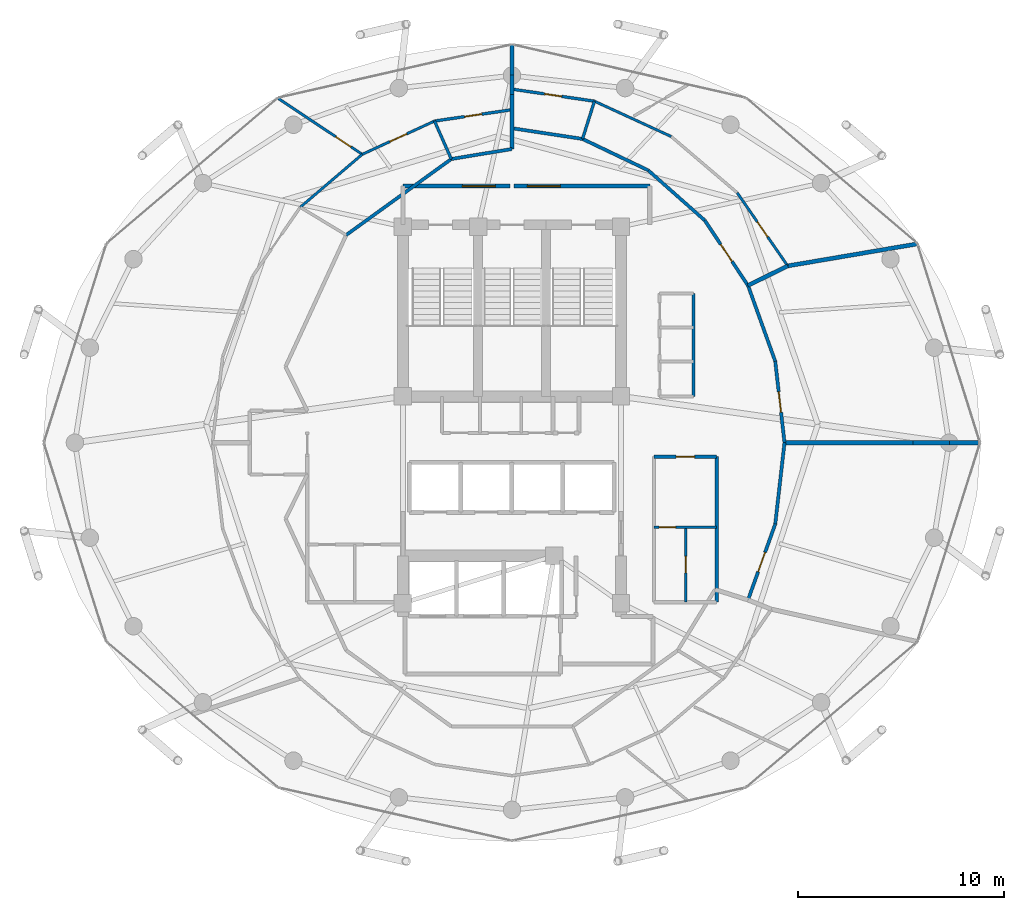
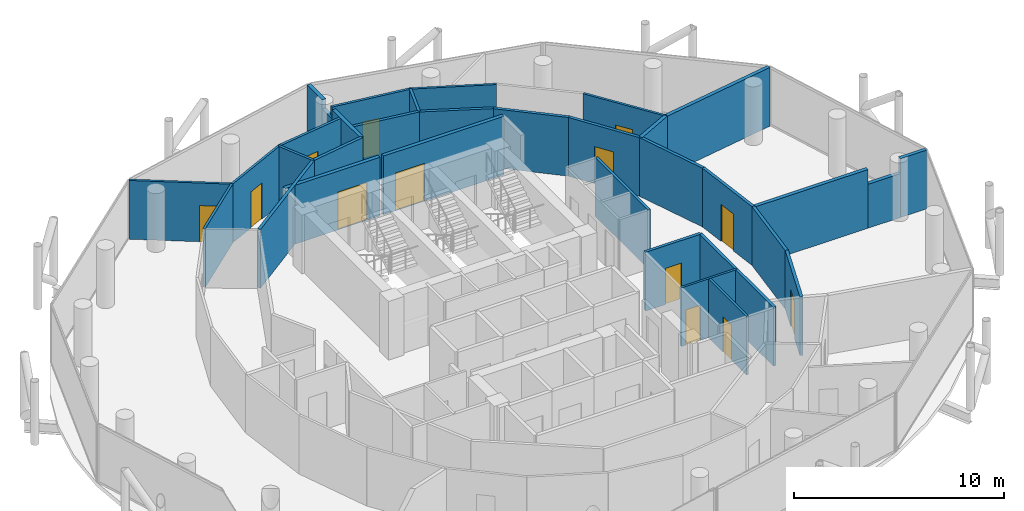
# One storey, part 25 of 27: 34 walls, 13 doors, 13 openings.
"""IFC4 building model written with IfcOpenShell, lengths in metres."""

from ifc_helpers import new_model, si_unit, direction, frame, frame_2d, origin, place, context, subcontext, project, spatial, rectangle, extrude, material, layer, layer_set, type_object, element, fill, save


model = new_model("IFC4")

# Units and contexts
model_context = context("Model", 3, precision=1e-05, world=origin(), true_north=direction((0.0, 1.0)))
body_context = subcontext(model_context, "Body", "Model", "MODEL_VIEW")
ifc_project = project(units=[si_unit("LENGTHUNIT", "METRE"), si_unit("AREAUNIT", "SQUARE_METRE"), si_unit("VOLUMEUNIT", "CUBIC_METRE"), si_unit("PLANEANGLEUNIT", "RADIAN"), si_unit("MASSUNIT", "GRAM", prefix="KILO")], contexts=[model_context])

# Site, building, storey
site_placement = place(None, origin())
site = spatial("IfcSite", under=ifc_project, at=site_placement, CompositionType="ELEMENT")
building_placement = place(site_placement, origin())
building = spatial("IfcBuilding", under=site, at=building_placement, Name="Nuhasar Tower", CompositionType="ELEMENT")
storey_placement = place(building_placement, frame((0.0, 0.0, 237.35009765625)))
storey = spatial("IfcBuildingStorey", under=building, at=storey_placement, Name="L58", CompositionType="ELEMENT", Elevation=237.35009765625)

# Wall
ifc_material_1 = material(Name="Gypsum Board", Category="gypsum")
ifc_layer_1 = layer(ifc_material_1, 0.159912109375)
ifc_layer_set_1 = layer_set([ifc_layer_1], Name="Gypsum Board")
wall_type_1 = type_object("IfcWallType", Name="WL-CORR-160", PredefinedType="PARTITIONING", material=ifc_layer_set_1)
wall_1_placement = place(storey_placement, frame((48.949951171875, 19.050048828125, 0.0), z_axis=(0.0, 0.0, 1.0), x_axis=(0.0, 1.0, 0.0)))
element("IfcWall", 1, at=wall_1_placement, inside=storey, type_object=wall_type_1, Name="L58 Interior Partition RECL-B2-E", PredefinedType="PARTITIONING", context=body_context, shape_type="SweptSolid", body=[
    extrude(rectangle(XDim=7.070068359375, YDim=0.159912109375, at=frame_2d((3.53515625, 0.0))), origin(), (0.0, 0.0, 1.0), 3.409912109375),
])

# Wall, opening, door
wall_2_placement = place(storey_placement, frame((48.949951171875, 26.1201171875, 0.0), z_axis=(0.0, 0.0, 1.0), x_axis=(-1.0, 0.0, 0.0)))
wall_2 = element("IfcWall", 2, at=wall_2_placement, inside=storey, type_object=wall_type_1, Name="L58 Interior Partition RECL-B2-N", PredefinedType="PARTITIONING", context=body_context, shape_type="SweptSolid", body=[
    extrude(rectangle(XDim=3.050048828125, YDim=0.159912109375, at=frame_2d((1.52490234375, 0.0))), origin(), (0.0, 0.0, 1.0), 3.409912109375),
])
opening_1_placement = place(wall_2_placement, frame((1.074951171875, 0.0, 0.0)))
opening_1 = element("IfcOpeningElement", 3, at=opening_1_placement, cuts=wall_2, Name="Opening DR-01", PredefinedType="OPENING", context=body_context, shape_type="SweptSolid", body=[
    extrude(rectangle(XDim=0.89990234375, YDim=2.10009765625, at=frame_2d((0.449951171875, 1.050048828125))), frame((0.0, 0.08984375, 0.0), z_axis=(0.0, -1.0, 0.0), x_axis=(1.0, 0.0, 0.0)), (0.0, 0.0, 1.0), 0.179931640625),
])
ifc_material_2 = material(Name="Timber Oak", Category="wood")
door_type_1 = type_object("IfcDoorType", Name="DR-ROOM-900", OperationType="NOTDEFINED", PredefinedType="DOOR", material=ifc_material_2)
door_1_placement = place(opening_1_placement, origin())
door_1 = element("IfcDoor", 4, at=door_1_placement, inside=storey, type_object=door_type_1, Name="L58 Telemetry Closet Door", OperationType="SINGLE_SWING_LEFT", OverallHeight=2.10009765625, OverallWidth=0.89990234375, PredefinedType="DOOR", context=body_context, shape_type="SweptSolid", body=[
    extrude(rectangle(XDim=0.89990234375, YDim=2.10009765625, at=frame_2d((0.449951171875, 1.050048828125))), frame((0.0, 0.02490234375, 0.0), z_axis=(0.0, -1.0, 0.0), x_axis=(1.0, 0.0, 0.0)), (0.0, 0.0, 1.0), 0.050048828125),
])
fill(opening_1, door_1)

wall_3_placement = place(storey_placement, frame((51.799072265625, 22.843017578125, 0.0), z_axis=(0.0, 0.0, 1.0), x_axis=(-0.337883151287, -0.941188066263, 0.0)))
wall_3 = element("IfcWall", 5, at=wall_3_placement, inside=storey, type_object=wall_type_1, Name="L58 Interior Partition CORR-44", PredefinedType="PARTITIONING", context=body_context, shape_type="SweptSolid", body=[
    extrude(rectangle(XDim=3.91845703125, YDim=0.159912109375, at=frame_2d((1.959228515625, 0.0))), origin(), (0.0, 0.0, 1.0), 3.409912109375),
])
opening_2_placement = place(wall_3_placement, frame((1.458984375, 0.0, 0.0)))
opening_2 = element("IfcOpeningElement", 6, at=opening_2_placement, cuts=wall_3, Name="Opening DU-02", PredefinedType="OPENING", context=body_context, shape_type="SweptSolid", body=[
    extrude(rectangle(XDim=1.0, YDim=2.14990234375, at=frame_2d((0.5, 1.074951171875))), frame((0.0, 0.08984375, 0.0), z_axis=(0.0, -1.0, 0.0), x_axis=(1.0, 0.0, 0.0)), (0.0, 0.0, 1.0), 0.179931640625),
])
door_type_2 = type_object("IfcDoorType", Name="DR-FLAT-FD60-1000", OperationType="NOTDEFINED", PredefinedType="DOOR", material=ifc_material_2)
door_2_placement = place(opening_2_placement, origin())
door_2 = element("IfcDoor", 7, at=door_2_placement, inside=storey, type_object=door_type_2, Name="L58 Residents Committee Boardroom Entrance Door", OperationType="SINGLE_SWING_RIGHT", OverallHeight=2.14990234375, OverallWidth=1.0, PredefinedType="DOOR", context=body_context, shape_type="SweptSolid", body=[
    extrude(rectangle(XDim=1.0, YDim=2.14990234375, at=frame_2d((0.5, 1.074951171875))), frame((0.0, 0.02490234375, 0.0), z_axis=(0.0, -1.0, 0.0), x_axis=(1.0, 0.0, 0.0)), (0.0, 0.0, 1.0), 0.050048828125),
])
fill(opening_2, door_2)

# Wall
wall_4_placement = place(storey_placement, frame((51.799072265625, 22.843017578125, 0.0), z_axis=(0.0, 0.0, 1.0), x_axis=(0.113223284391, 0.993569568713, 0.0)))
element("IfcWall", 8, at=wall_4_placement, inside=storey, type_object=wall_type_1, Name="L58 Interior Partition CORR-46", PredefinedType="PARTITIONING", context=body_context, shape_type="SweptSolid", body=[
    extrude(rectangle(XDim=3.982666015625, YDim=0.159912109375, at=frame_2d((1.9912109375, 0.0))), origin(), (0.0, 0.0, 1.0), 3.409912109375),
])

# Wall, opening, door
wall_5_placement = place(storey_placement, frame((51.799072265625, 30.757080078125, 0.0), z_axis=(0.0, 0.0, 1.0), x_axis=(0.113223284391, -0.993569568713, 0.0)))
wall_5 = element("IfcWall", 9, at=wall_5_placement, inside=storey, type_object=wall_type_1, Name="L58 Interior Partition CORR-00", PredefinedType="PARTITIONING", context=body_context, shape_type="SweptSolid", body=[
    extrude(rectangle(XDim=3.982666015625, YDim=0.159912109375, at=frame_2d((1.9912109375, 0.0))), origin(), (0.0, 0.0, 1.0), 3.409912109375),
])
opening_3_placement = place(wall_5_placement, frame((1.490966796875, 0.0, 0.0)))
opening_3 = element("IfcOpeningElement", 10, at=opening_3_placement, cuts=wall_5, Name="Opening DU-02", PredefinedType="OPENING", context=body_context, shape_type="SweptSolid", body=[
    extrude(rectangle(XDim=1.0, YDim=2.14990234375, at=frame_2d((0.5, 1.074951171875))), frame((0.0, 0.08984375, 0.0), z_axis=(0.0, -1.0, 0.0), x_axis=(1.0, 0.0, 0.0)), (0.0, 0.0, 1.0), 0.179931640625),
])
door_3_placement = place(opening_3_placement, origin())
door_3 = element("IfcDoor", 11, at=door_3_placement, inside=storey, type_object=door_type_2, Name="L58 Residents Private Seminar Room Entrance Door", OperationType="SINGLE_SWING_RIGHT", OverallHeight=2.14990234375, OverallWidth=1.0, PredefinedType="DOOR", context=body_context, shape_type="SweptSolid", body=[
    extrude(rectangle(XDim=1.0, YDim=2.14990234375, at=frame_2d((0.5, 1.074951171875))), frame((0.0, 0.02490234375, 0.0), z_axis=(0.0, -1.0, 0.0), x_axis=(1.0, 0.0, 0.0)), (0.0, 0.0, 1.0), 0.050048828125),
])
fill(opening_3, door_3)

# Wall
wall_6_placement = place(storey_placement, frame((51.799072265625, 30.757080078125, 0.0), z_axis=(0.0, 0.0, 1.0), x_axis=(-0.337883151287, 0.941188066263, 0.0)))
element("IfcWall", 12, at=wall_6_placement, inside=storey, type_object=wall_type_1, Name="L58 Interior Partition CORR-02", PredefinedType="PARTITIONING", context=body_context, shape_type="SweptSolid", body=[
    extrude(rectangle(XDim=3.91845703125, YDim=0.159912109375, at=frame_2d((1.959228515625, 0.0))), origin(), (0.0, 0.0, 1.0), 3.409912109375),
])

# Wall, opening, door
wall_7_placement = place(storey_placement, frame((48.368896484375, 37.612060546875, 0.0), z_axis=(0.0, 0.0, 1.0), x_axis=(0.553766624332, -0.832671919651, 0.0)))
wall_7 = element("IfcWall", 13, at=wall_7_placement, inside=storey, type_object=wall_type_1, Name="L58 Interior Partition CORR-04", PredefinedType="PARTITIONING", context=body_context, shape_type="SweptSolid", body=[
    extrude(rectangle(XDim=3.803466796875, YDim=0.159912109375, at=frame_2d((1.90185546875, 0.0))), origin(), (0.0, 0.0, 1.0), 3.409912109375),
])
opening_4_placement = place(wall_7_placement, frame((1.402099609375, 0.0, 0.0)))
opening_4 = element("IfcOpeningElement", 14, at=opening_4_placement, cuts=wall_7, Name="Opening DU-02", PredefinedType="OPENING", context=body_context, shape_type="SweptSolid", body=[
    extrude(rectangle(XDim=1.0, YDim=2.14990234375, at=frame_2d((0.5, 1.074951171875))), frame((0.0, 0.08984375, 0.0), z_axis=(0.0, -1.0, 0.0), x_axis=(1.0, 0.0, 0.0)), (0.0, 0.0, 1.0), 0.179931640625),
])
door_4_placement = place(opening_4_placement, origin())
door_4 = element("IfcDoor", 15, at=door_4_placement, inside=storey, type_object=door_type_2, Name="L58 East Two-Bed Apartment 01 Entrance Door", OperationType="SINGLE_SWING_RIGHT", OverallHeight=2.14990234375, OverallWidth=1.0, PredefinedType="DOOR", context=body_context, shape_type="SweptSolid", body=[
    extrude(rectangle(XDim=1.0, YDim=2.14990234375, at=frame_2d((0.5, 1.074951171875))), frame((0.0, 0.02490234375, 0.0), z_axis=(0.0, -1.0, 0.0), x_axis=(1.0, 0.0, 0.0)), (0.0, 0.0, 1.0), 0.050048828125),
])
fill(opening_4, door_4)

# Walls
wall_8_placement = place(storey_placement, frame((48.368896484375, 37.612060546875, 0.0), z_axis=(0.0, 0.0, 1.0), x_axis=(-0.748639187354, 0.662977652081, 0.0)))
element("IfcWall", 16, at=wall_8_placement, inside=storey, type_object=wall_type_1, Name="L58 Interior Partition CORR-06", PredefinedType="PARTITIONING", context=body_context, shape_type="SweptSolid", body=[
    extrude(rectangle(XDim=3.665283203125, YDim=0.159912109375, at=frame_2d((1.83251953125, 0.0))), origin(), (0.0, 0.0, 1.0), 3.409912109375),
])
wall_9_placement = place(storey_placement, frame((45.625, 40.0419921875, 0.0), z_axis=(0.0, 0.0, 1.0), x_axis=(-0.902292793428, 0.431123781445, 0.0)))
element("IfcWall", 17, at=wall_9_placement, inside=storey, type_object=wall_type_1, Name="L58 Interior Partition CORR-08", PredefinedType="PARTITIONING", context=body_context, shape_type="SweptSolid", body=[
    extrude(rectangle(XDim=3.542236328125, YDim=0.159912109375, at=frame_2d((1.77099609375, 0.0))), origin(), (0.0, 0.0, 1.0), 3.409912109375),
])
wall_10_placement = place(storey_placement, frame((42.428955078125, 41.569091796875, 0.0), z_axis=(0.0, 0.0, 1.0), x_axis=(-0.988653178361, 0.150216153978, 0.0)))
element("IfcWall", 18, at=wall_10_placement, inside=storey, type_object=wall_type_1, Name="L58 Interior Partition CORR-10", PredefinedType="PARTITIONING", context=body_context, shape_type="SweptSolid", body=[
    extrude(rectangle(XDim=3.46826171875, YDim=0.159912109375, at=frame_2d((1.734130859375, 0.0))), origin(), (0.0, 0.0, 1.0), 3.409912109375),
])
wall_11_placement = place(storey_placement, frame((39.0, 41.080078125, 0.0), z_axis=(0.0, 0.0, 1.0), x_axis=(-0.986650832406, -0.162850038111, 0.0)))
element("IfcWall", 19, at=wall_11_placement, inside=storey, type_object=wall_type_1, Name="L58 Interior Partition UWEST-CORE-N1-12", PredefinedType="PARTITIONING", context=body_context, shape_type="SweptSolid", body=[
    extrude(rectangle(XDim=2.990966796875, YDim=0.159912109375, at=frame_2d((1.49560546875, 0.0))), origin(), (0.0, 0.0, 1.0), 3.409912109375),
])
wall_12_placement = place(storey_placement, frame((36.049072265625, 40.593017578125, 0.0), z_axis=(0.0, 0.0, 1.0), x_axis=(-0.810271736342, -0.58605436035, 0.0)))
element("IfcWall", 20, at=wall_12_placement, inside=storey, type_object=wall_type_1, Name="L58 Interior Partition UWEST-CORE-N2-14", PredefinedType="PARTITIONING", context=body_context, shape_type="SweptSolid", body=[
    extrude(rectangle(XDim=6.306640625, YDim=0.159912109375, at=frame_2d((3.1533203125, 0.0))), origin(), (0.0, 0.0, 1.0), 3.409912109375),
])

# Wall, opening, door
ifc_material_3 = material(Name="Concrete C45/55", Category="concrete")
ifc_layer_2 = layer(ifc_material_3, 0.199951171875)
ifc_layer_set_2 = layer_set([ifc_layer_2], Name="Concrete C45/55")
wall_type_2 = type_object("IfcWallType", Name="WL-LOBBY-200", PredefinedType="SOLIDWALL", material=ifc_layer_set_2)
wall_13_placement = place(storey_placement, frame((38.89990234375, 39.280029296875, 0.0), z_axis=(0.0, 0.0, 1.0), x_axis=(-1.0, 0.0, 0.0)))
wall_13 = element("IfcWall", 21, at=wall_13_placement, inside=storey, type_object=wall_type_2, Name="L58 Interior Partition NSL-N1", PredefinedType="SOLIDWALL", context=body_context, shape_type="SweptSolid", body=[
    extrude(rectangle(XDim=5.199951171875, YDim=0.199951171875, at=frame_2d((2.60009765625, 0.0))), origin(), (0.0, 0.0, 1.0), 3.409912109375),
])
opening_5_placement = place(wall_13_placement, frame((0.7080078125, 0.0, 0.0)))
opening_5 = element("IfcOpeningElement", 22, at=opening_5_placement, cuts=wall_13, Name="Opening DC-01", PredefinedType="OPENING", context=body_context, shape_type="SweptSolid", body=[
    extrude(rectangle(XDim=1.60009765625, YDim=2.199951171875, at=frame_2d((0.800048828125, 1.10009765625))), frame((0.0, 0.10986328125, 0.0), z_axis=(0.0, -1.0, 0.0), x_axis=(1.0, 0.0, 0.0)), (0.0, 0.0, 1.0), 0.219970703125),
])
ifc_material_4 = material(Name="Steel S355", Category="steel")
door_type_3 = type_object("IfcDoorType", Name="DR-CORR-FD60-1600", OperationType="DOUBLE_DOOR_SINGLE_SWING", PredefinedType="DOOR", material=ifc_material_4)
door_5_placement = place(opening_5_placement, origin())
door_5 = element("IfcDoor", 23, at=door_5_placement, inside=storey, type_object=door_type_3, Name="L58 North Stair Lobby West Door", OperationType="DOUBLE_DOOR_SINGLE_SWING", OverallHeight=2.199951171875, OverallWidth=1.60009765625, PredefinedType="DOOR", context=body_context, shape_type="SweptSolid", body=[
    extrude(rectangle(XDim=1.60009765625, YDim=2.199951171875, at=frame_2d((0.800048828125, 1.10009765625))), frame((0.0, 0.02490234375, 0.0), z_axis=(0.0, -1.0, 0.0), x_axis=(1.0, 0.0, 0.0)), (0.0, 0.0, 1.0), 0.050048828125),
])
fill(opening_5, door_5)

wall_14_placement = place(storey_placement, frame((45.699951171875, 39.280029296875, 0.0), z_axis=(0.0, 0.0, 1.0), x_axis=(-1.0, 0.0, 0.0)))
wall_14 = element("IfcWall", 24, at=wall_14_placement, inside=storey, type_object=wall_type_2, Name="L58 Interior Partition NSL-N2", PredefinedType="SOLIDWALL", context=body_context, shape_type="SweptSolid", body=[
    extrude(rectangle(XDim=6.599853515625, YDim=0.199951171875, at=frame_2d((3.2998046875, 0.0))), origin(), (0.0, 0.0, 1.0), 3.409912109375),
])
opening_6_placement = place(wall_14_placement, frame((4.35009765625, 0.0, 0.0)))
opening_6 = element("IfcOpeningElement", 25, at=opening_6_placement, cuts=wall_14, Name="Opening DC-01", PredefinedType="OPENING", context=body_context, shape_type="SweptSolid", body=[
    extrude(rectangle(XDim=1.60009765625, YDim=2.199951171875, at=frame_2d((0.800048828125, 1.10009765625))), frame((0.0, 0.10986328125, 0.0), z_axis=(0.0, -1.0, 0.0), x_axis=(1.0, 0.0, 0.0)), (0.0, 0.0, 1.0), 0.219970703125),
])
door_6_placement = place(opening_6_placement, origin())
door_6 = element("IfcDoor", 26, at=door_6_placement, inside=storey, type_object=door_type_3, Name="L58 North Stair Lobby East Door", OperationType="DOUBLE_DOOR_SINGLE_SWING", OverallHeight=2.199951171875, OverallWidth=1.60009765625, PredefinedType="DOOR", context=body_context, shape_type="SweptSolid", body=[
    extrude(rectangle(XDim=1.60009765625, YDim=2.199951171875, at=frame_2d((0.800048828125, 1.10009765625))), frame((0.0, 0.02490234375, 0.0), z_axis=(0.0, -1.0, 0.0), x_axis=(1.0, 0.0, 0.0)), (0.0, 0.0, 1.0), 0.050048828125),
])
fill(opening_6, door_6)

ifc_layer_3 = layer(ifc_material_1, 0.125)
ifc_layer_set_3 = layer_set([ifc_layer_3], Name="Gypsum Board")
wall_type_3 = type_object("IfcWallType", Name="WL-PART-125", PredefinedType="PARTITIONING", material=ifc_layer_set_3)
wall_15_placement = place(storey_placement, frame((47.449951171875, 22.699951171875, 0.0), z_axis=(0.0, 0.0, 1.0), x_axis=(0.0, -1.0, 0.0)))
wall_15 = element("IfcWall", 27, at=wall_15_placement, inside=storey, type_object=wall_type_3, Name="L58 Interior Partition RECL-B2-V", PredefinedType="PARTITIONING", context=body_context, shape_type="SweptSolid", body=[
    extrude(rectangle(XDim=3.64990234375, YDim=0.125, at=frame_2d((1.824951171875, 0.0))), origin(), (0.0, 0.0, 1.0), 3.409912109375),
])
opening_7_placement = place(wall_15_placement, frame((1.425048828125, 0.0, 0.0)))
opening_7 = element("IfcOpeningElement", 28, at=opening_7_placement, cuts=wall_15, Name="Opening DM-01", PredefinedType="OPENING", context=body_context, shape_type="SweptSolid", body=[
    extrude(rectangle(XDim=0.800048828125, YDim=2.050048828125, at=frame_2d((0.39990234375, 1.02490234375))), frame((0.0, 0.072509765625, 0.0), z_axis=(0.0, -1.0, 0.0), x_axis=(1.0, 0.0, 0.0)), (0.0, 0.0, 1.0), 0.14501953125),
])
door_type_4 = type_object("IfcDoorType", Name="DR-RISER-FD60-800", OperationType="NOTDEFINED", PredefinedType="DOOR", material=ifc_material_4)
door_7_placement = place(opening_7_placement, origin())
door_7 = element("IfcDoor", 29, at=door_7_placement, inside=storey, type_object=door_type_4, Name="L58 Archive Closet Door", OperationType="SINGLE_SWING_LEFT", OverallHeight=2.050048828125, OverallWidth=0.800048828125, PredefinedType="DOOR", context=body_context, shape_type="SweptSolid", body=[
    extrude(rectangle(XDim=0.800048828125, YDim=2.050048828125, at=frame_2d((0.39990234375, 1.02490234375))), frame((0.0, 0.02490234375, 0.0), z_axis=(0.0, -1.0, 0.0), x_axis=(1.0, 0.0, 0.0)), (0.0, 0.0, 1.0), 0.050048828125),
])
fill(opening_7, door_7)

wall_16_placement = place(storey_placement, frame((48.949951171875, 22.699951171875, 0.0), z_axis=(0.0, 0.0, 1.0), x_axis=(-1.0, 0.0, 0.0)))
wall_16 = element("IfcWall", 30, at=wall_16_placement, inside=storey, type_object=wall_type_3, Name="L58 Interior Partition RECL-B2-M", PredefinedType="PARTITIONING", context=body_context, shape_type="SweptSolid", body=[
    extrude(rectangle(XDim=3.050048828125, YDim=0.125, at=frame_2d((1.52490234375, 0.0))), origin(), (0.0, 0.0, 1.0), 3.409912109375),
])
opening_8_placement = place(wall_16_placement, frame((2.0, 0.0, 0.0)))
opening_8 = element("IfcOpeningElement", 31, at=opening_8_placement, cuts=wall_16, Name="Opening DM-01", PredefinedType="OPENING", context=body_context, shape_type="SweptSolid", body=[
    extrude(rectangle(XDim=0.800048828125, YDim=2.050048828125, at=frame_2d((0.39990234375, 1.02490234375))), frame((0.0, 0.072509765625, 0.0), z_axis=(0.0, -1.0, 0.0), x_axis=(1.0, 0.0, 0.0)), (0.0, 0.0, 1.0), 0.14501953125),
])
door_8_placement = place(opening_8_placement, origin())
door_8 = element("IfcDoor", 32, at=door_8_placement, inside=storey, type_object=door_type_4, Name="L58 Trunk Store Door", OperationType="SINGLE_SWING_RIGHT", OverallHeight=2.050048828125, OverallWidth=0.800048828125, PredefinedType="DOOR", context=body_context, shape_type="SweptSolid", body=[
    extrude(rectangle(XDim=0.800048828125, YDim=2.050048828125, at=frame_2d((0.39990234375, 1.02490234375))), frame((0.0, 0.02490234375, 0.0), z_axis=(0.0, -1.0, 0.0), x_axis=(1.0, 0.0, 0.0)), (0.0, 0.0, 1.0), 0.050048828125),
])
fill(opening_8, door_8)

wall_17_placement = place(storey_placement, frame((49.946044921875, 38.955078125, 0.0), z_axis=(0.0, 0.0, 1.0), x_axis=(0.568476307332, -0.822699634133, 0.0)))
wall_17 = element("IfcWall", 33, at=wall_17_placement, inside=storey, type_object=wall_type_3, Name="L58 Interior Partition UMID-03-A-04", PredefinedType="PARTITIONING", context=body_context, shape_type="SweptSolid", body=[
    extrude(rectangle(XDim=4.327392578125, YDim=0.125, at=frame_2d((2.16357421875, 0.0))), origin(), (0.0, 0.0, 1.0), 3.409912109375),
])
opening_9_placement = place(wall_17_placement, frame((1.714111328125, 0.0, 0.0)))
opening_9 = element("IfcOpeningElement", 34, at=opening_9_placement, cuts=wall_17, Name="Opening DR-01", PredefinedType="OPENING", context=body_context, shape_type="SweptSolid", body=[
    extrude(rectangle(XDim=0.89990234375, YDim=2.10009765625, at=frame_2d((0.449951171875, 1.050048828125))), frame((0.0, 0.072509765625, 0.0), z_axis=(0.0, -1.0, 0.0), x_axis=(1.0, 0.0, 0.0)), (0.0, 0.0, 1.0), 0.14501953125),
])
door_9_placement = place(opening_9_placement, origin())
door_9 = element("IfcDoor", 35, at=door_9_placement, inside=storey, type_object=door_type_1, Name="L58 U03 Living Door", OperationType="SINGLE_SWING_LEFT", OverallHeight=2.10009765625, OverallWidth=0.89990234375, PredefinedType="DOOR", context=body_context, shape_type="SweptSolid", body=[
    extrude(rectangle(XDim=0.89990234375, YDim=2.10009765625, at=frame_2d((0.449951171875, 1.050048828125))), frame((0.0, 0.02490234375, 0.0), z_axis=(0.0, -1.0, 0.0), x_axis=(1.0, 0.0, 0.0)), (0.0, 0.0, 1.0), 0.050048828125),
])
fill(opening_9, door_9)

# Wall
wall_18_placement = place(storey_placement, frame((46.739990234375, 41.68701171875, 0.0), z_axis=(0.0, 0.0, 1.0), x_axis=(-0.908499475982, 0.417885991797, 0.0)))
element("IfcWall", 36, at=wall_18_placement, inside=storey, type_object=wall_type_3, Name="L58 Interior Partition UMID-03-A-08", PredefinedType="PARTITIONING", context=body_context, shape_type="SweptSolid", body=[
    extrude(rectangle(XDim=4.10888671875, YDim=0.125, at=frame_2d((2.054443359375, 0.0))), origin(), (0.0, 0.0, 1.0), 3.409912109375),
])

# Wall, opening, door
wall_19_placement = place(storey_placement, frame((31.719970703125, 40.821044921875, 0.0), z_axis=(0.0, 0.0, 1.0), x_axis=(0.908348953741, 0.418213077555, 0.0)))
wall_19 = element("IfcWall", 37, at=wall_19_placement, inside=storey, type_object=wall_type_3, Name="L58 Interior Partition USM-1-K-14", PredefinedType="PARTITIONING", context=body_context, shape_type="SweptSolid", body=[
    extrude(rectangle(XDim=3.8662109375, YDim=0.125, at=frame_2d((1.93310546875, 0.0))), origin(), (0.0, 0.0, 1.0), 3.409912109375),
])
opening_10_placement = place(wall_19_placement, frame((1.48291015625, 0.0, 0.0)))
opening_10 = element("IfcOpeningElement", 38, at=opening_10_placement, cuts=wall_19, Name="Opening DR-01", PredefinedType="OPENING", context=body_context, shape_type="SweptSolid", body=[
    extrude(rectangle(XDim=0.89990234375, YDim=2.10009765625, at=frame_2d((0.449951171875, 1.050048828125))), frame((0.0, 0.072509765625, 0.0), z_axis=(0.0, -1.0, 0.0), x_axis=(1.0, 0.0, 0.0)), (0.0, 0.0, 1.0), 0.14501953125),
])
door_10_placement = place(opening_10_placement, origin())
door_10 = element("IfcDoor", 39, at=door_10_placement, inside=storey, type_object=door_type_1, Name="L58 North-West Sky Home Kitchen Door", OperationType="SINGLE_SWING_LEFT", OverallHeight=2.10009765625, OverallWidth=0.89990234375, PredefinedType="DOOR", context=body_context, shape_type="SweptSolid", body=[
    extrude(rectangle(XDim=0.89990234375, YDim=2.10009765625, at=frame_2d((0.449951171875, 1.050048828125))), frame((0.0, 0.02490234375, 0.0), z_axis=(0.0, -1.0, 0.0), x_axis=(1.0, 0.0, 0.0)), (0.0, 0.0, 1.0), 0.050048828125),
])
fill(opening_10, door_10)

# Wall
wall_20_placement = place(storey_placement, frame((31.719970703125, 40.821044921875, 0.0), z_axis=(0.0, 0.0, 1.0), x_axis=(-0.760650552049, -0.64916156515, 0.0)))
element("IfcWall", 40, at=wall_20_placement, inside=storey, type_object=wall_type_3, Name="L58 Interior Partition USM-1-K-16", PredefinedType="PARTITIONING", context=body_context, shape_type="SweptSolid", body=[
    extrude(rectangle(XDim=3.963623046875, YDim=0.125, at=frame_2d((1.98193359375, 0.0))), origin(), (0.0, 0.0, 1.0), 3.409912109375),
])

# Wall, opening, door
wall_21_placement = place(storey_placement, frame((31.719970703125, 40.821044921875, 0.0), z_axis=(0.0, 0.0, 1.0), x_axis=(-0.832662714406, 0.553780465562, 0.0)))
wall_21 = element("IfcWall", 41, at=wall_21_placement, inside=storey, type_object=wall_type_3, Name="L58 Interior Partition USO-1-BD", PredefinedType="PARTITIONING", context=body_context, shape_type="SweptSolid", body=[
    extrude(rectangle(XDim=4.90234375, YDim=0.125, at=frame_2d((2.451171875, 0.0))), origin(), (0.0, 0.0, 1.0), 3.409912109375),
])
opening_11_placement = place(wall_21_placement, frame((0.64990234375, 0.0, 0.0)))
opening_11 = element("IfcOpeningElement", 42, at=opening_11_placement, cuts=wall_21, Name="Opening DR-01", PredefinedType="OPENING", context=body_context, shape_type="SweptSolid", body=[
    extrude(rectangle(XDim=0.89990234375, YDim=2.10009765625, at=frame_2d((0.449951171875, 1.050048828125))), frame((0.0, 0.072509765625, 0.0), z_axis=(0.0, -1.0, 0.0), x_axis=(1.0, 0.0, 0.0)), (0.0, 0.0, 1.0), 0.14501953125),
])
door_11_placement = place(opening_11_placement, origin())
door_11 = element("IfcDoor", 43, at=door_11_placement, inside=storey, type_object=door_type_1, Name="L58 North-West Sky Home Master Bedroom Door", OperationType="SINGLE_SWING_LEFT", OverallHeight=2.10009765625, OverallWidth=0.89990234375, PredefinedType="DOOR", context=body_context, shape_type="SweptSolid", body=[
    extrude(rectangle(XDim=0.89990234375, YDim=2.10009765625, at=frame_2d((0.449951171875, 1.050048828125))), frame((0.0, 0.02490234375, 0.0), z_axis=(0.0, -1.0, 0.0), x_axis=(1.0, 0.0, 0.0)), (0.0, 0.0, 1.0), 0.050048828125),
])
fill(opening_11, door_11)

# Walls
ifc_material_5 = material(Name="Concrete C40/50 precast", Category="concrete")
ifc_layer_4 = layer(ifc_material_5, 0.199951171875)
ifc_layer_set_4 = layer_set([ifc_layer_4], Name="Concrete C40/50 precast")
wall_type_4 = type_object("IfcWallType", Name="WL-UNIT-200", PredefinedType="PARTITIONING", material=ifc_layer_set_4)
wall_22_placement = place(storey_placement, frame((39.0, 41.080078125, 0.0), z_axis=(0.0, 0.0, 1.0), x_axis=(0.0, 1.0, 0.0)))
element("IfcWall", 44, at=wall_22_placement, inside=storey, type_object=wall_type_4, Name="L58 Interior Partition URAD-12-NW", PredefinedType="PARTITIONING", context=body_context, shape_type="SweptSolid", body=[
    extrude(rectangle(XDim=2.64697265625, YDim=0.199951171875, at=frame_2d((1.323486328125, 0.0))), origin(), (0.0, 0.0, 1.0), 3.409912109375),
])
wall_23_placement = place(storey_placement, frame((39.0, 43.72705078125, 0.0), z_axis=(0.0, 0.0, 1.0), x_axis=(0.0, 1.0, 0.0)))
element("IfcWall", 45, at=wall_23_placement, inside=storey, type_object=wall_type_4, Name="L58 Interior Partition URAD-12-NW", PredefinedType="PARTITIONING", context=body_context, shape_type="SweptSolid", body=[
    extrude(rectangle(XDim=0.945068359375, YDim=0.199951171875, at=frame_2d((0.47265625, 0.0))), origin(), (0.0, 0.0, 1.0), 2.8798828125),
])
wall_24_placement = place(storey_placement, frame((39.0, 44.672119140625, 0.0), z_axis=(0.0, 0.0, 1.0), x_axis=(0.0, 1.0, 0.0)))
element("IfcWall", 46, at=wall_24_placement, inside=storey, type_object=wall_type_4, Name="L58 Interior Partition URAD-12-NW", PredefinedType="PARTITIONING", context=body_context, shape_type="SweptSolid", body=[
    extrude(rectangle(XDim=1.452880859375, YDim=0.199951171875, at=frame_2d((0.7265625, 0.0))), origin(), (0.0, 0.0, 1.0), 3.409912109375),
])
wall_25_placement = place(storey_placement, frame((52.25, 26.800048828125, 0.0), z_axis=(0.0, 0.0, 1.0), x_axis=(1.0, 0.0, 0.0)))
element("IfcWall", 47, at=wall_25_placement, inside=storey, type_object=wall_type_4, Name="L58 Interior Partition URAD-00", PredefinedType="PARTITIONING", context=body_context, shape_type="SweptSolid", body=[
    extrude(rectangle(XDim=6.24609375, YDim=0.199951171875, at=frame_2d((3.123046875, 0.0))), origin(), (0.0, 0.0, 1.0), 3.409912109375),
])
wall_26_placement = place(storey_placement, frame((58.49609375, 26.800048828125, 0.0), z_axis=(0.0, 0.0, 1.0), x_axis=(1.0, 0.0, 0.0)))
element("IfcWall", 48, at=wall_26_placement, inside=storey, type_object=wall_type_4, Name="L58 Interior Partition URAD-00", PredefinedType="PARTITIONING", context=body_context, shape_type="SweptSolid", body=[
    extrude(rectangle(XDim=1.767822265625, YDim=0.199951171875, at=frame_2d((0.8837890625, 0.0))), origin(), (0.0, 0.0, 1.0), 2.5498046875),
])
wall_27_placement = place(storey_placement, frame((60.263916015625, 26.800048828125, 0.0), z_axis=(0.0, 0.0, 1.0), x_axis=(1.0, 0.0, 0.0)))
element("IfcWall", 49, at=wall_27_placement, inside=storey, type_object=wall_type_4, Name="L58 Interior Partition URAD-00", PredefinedType="PARTITIONING", context=body_context, shape_type="SweptSolid", body=[
    extrude(rectangle(XDim=1.461181640625, YDim=0.199951171875, at=frame_2d((0.73046875, 0.0))), origin(), (0.0, 0.0, 1.0), 3.409912109375),
])
wall_28_placement = place(storey_placement, frame((50.47509765625, 34.445068359375, 0.0), z_axis=(0.0, 0.0, 1.0), x_axis=(0.897290298134, 0.441440959671, 0.0)))
element("IfcWall", 50, at=wall_28_placement, inside=storey, type_object=wall_type_4, Name="L58 Interior Partition URAD-04-S1", PredefinedType="PARTITIONING", context=body_context, shape_type="SweptSolid", body=[
    extrude(rectangle(XDim=2.15185546875, YDim=0.199951171875, at=frame_2d((1.075927734375, 0.0))), origin(), (0.0, 0.0, 1.0), 3.409912109375),
])
wall_29_placement = place(storey_placement, frame((52.406005859375, 35.39501953125, 0.0), z_axis=(0.0, 0.0, 1.0), x_axis=(0.985847351821, 0.167645455968, 0.0)))
element("IfcWall", 51, at=wall_29_placement, inside=storey, type_object=wall_type_4, Name="L58 Interior Partition URAD-04-S2", PredefinedType="PARTITIONING", context=body_context, shape_type="SweptSolid", body=[
    extrude(rectangle(XDim=6.364013671875, YDim=0.199951171875, at=frame_2d((3.18212890625, 0.0))), origin(), (0.0, 0.0, 1.0), 3.409912109375),
])
ifc_layer_5 = layer(ifc_material_5, 0.139892578125)
ifc_layer_set_5 = layer_set([ifc_layer_5], Name="Concrete C40/50 precast")
wall_type_5 = type_object("IfcWallType", Name="WL-WET-140", PredefinedType="PARTITIONING", material=ifc_layer_set_5)
wall_30_placement = place(storey_placement, frame((47.820068359375, 29.050048828125, 0.0), z_axis=(0.0, 0.0, 1.0), x_axis=(0.0, 1.0, 0.0)))
element("IfcWall", 52, at=wall_30_placement, inside=storey, type_object=wall_type_5, Name="L58 Interior Partition K1-NE-E", PredefinedType="PARTITIONING", context=body_context, shape_type="SweptSolid", body=[
    extrude(rectangle(XDim=5.0, YDim=0.139892578125, at=frame_2d((2.5, 0.0))), origin(), (0.0, 0.0, 1.0), 3.409912109375),
])

# Wall, opening, door
wall_31_placement = place(storey_placement, frame((39.0, 43.989990234375, 0.0), z_axis=(0.0, 0.0, 1.0), x_axis=(0.989477489879, -0.144686893055, 0.0)))
wall_31 = element("IfcWall", 53, at=wall_31_placement, inside=storey, type_object=wall_type_5, Name="L58 Interior Partition UMID-03-B-10", PredefinedType="PARTITIONING", context=body_context, shape_type="SweptSolid", body=[
    extrude(rectangle(XDim=4.0498046875, YDim=0.139892578125, at=frame_2d((2.02490234375, 0.0))), origin(), (0.0, 0.0, 1.0), 3.409912109375),
])
opening_12_placement = place(wall_31_placement, frame((1.60009765625, 0.0, 0.0)))
opening_12 = element("IfcOpeningElement", 54, at=opening_12_placement, cuts=wall_31, Name="Opening DB-01", PredefinedType="OPENING", context=body_context, shape_type="SweptSolid", body=[
    extrude(rectangle(XDim=0.85009765625, YDim=2.10009765625, at=frame_2d((0.425048828125, 1.050048828125))), frame((0.0, 0.080078125, 0.0), z_axis=(0.0, -1.0, 0.0), x_axis=(1.0, 0.0, 0.0)), (0.0, 0.0, 1.0), 0.159912109375),
])
door_type_5 = type_object("IfcDoorType", Name="DR-BATH-850", OperationType="NOTDEFINED", PredefinedType="DOOR", material=ifc_material_2)
door_12_placement = place(opening_12_placement, origin())
door_12 = element("IfcDoor", 55, at=door_12_placement, inside=storey, type_object=door_type_5, Name="L58 U03 Bathroom Door", OperationType="SINGLE_SWING_RIGHT", OverallHeight=2.10009765625, OverallWidth=0.85009765625, PredefinedType="DOOR", context=body_context, shape_type="SweptSolid", body=[
    extrude(rectangle(XDim=0.85009765625, YDim=2.10009765625, at=frame_2d((0.425048828125, 1.050048828125))), frame((0.0, 0.02490234375, 0.0), z_axis=(0.0, -1.0, 0.0), x_axis=(1.0, 0.0, 0.0)), (0.0, 0.0, 1.0), 0.050048828125),
])
fill(opening_12, door_12)

# Walls
wall_32_placement = place(storey_placement, frame((42.428955078125, 41.569091796875, 0.0), z_axis=(0.0, 0.0, 1.0), x_axis=(0.300499677701, 0.953781916216, 0.0)))
element("IfcWall", 56, at=wall_32_placement, inside=storey, type_object=wall_type_5, Name="L58 Interior Partition UIN-03-K", PredefinedType="PARTITIONING", context=body_context, shape_type="SweptSolid", body=[
    extrude(rectangle(XDim=1.923828125, YDim=0.139892578125, at=frame_2d((0.9619140625, 0.0))), origin(), (0.0, 0.0, 1.0), 3.409912109375),
])
wall_33_placement = place(storey_placement, frame((36.049072265625, 40.593017578125, 0.0), z_axis=(0.0, 0.0, 1.0), x_axis=(-0.404959394094, 0.914334670203, 0.0)))
element("IfcWall", 57, at=wall_33_placement, inside=storey, type_object=wall_type_5, Name="L58 Interior Partition USI-1-BK", PredefinedType="PARTITIONING", context=body_context, shape_type="SweptSolid", body=[
    extrude(rectangle(XDim=2.017822265625, YDim=0.139892578125, at=frame_2d((1.0087890625, 0.0))), origin(), (0.0, 0.0, 1.0), 3.409912109375),
])

# Wall, opening, door
wall_34_placement = place(storey_placement, frame((35.23193359375, 42.43798828125, 0.0), z_axis=(0.0, 0.0, 1.0), x_axis=(0.98943932281, 0.144947668062, 0.0)))
wall_34 = element("IfcWall", 58, at=wall_34_placement, inside=storey, type_object=wall_type_5, Name="L58 Interior Partition USM-1-B-12", PredefinedType="PARTITIONING", context=body_context, shape_type="SweptSolid", body=[
    extrude(rectangle(XDim=3.808349609375, YDim=0.139892578125, at=frame_2d((1.904296875, 0.0))), origin(), (0.0, 0.0, 1.0), 3.409912109375),
])
opening_13_placement = place(wall_34_placement, frame((1.47900390625, 0.0, 0.0)))
opening_13 = element("IfcOpeningElement", 59, at=opening_13_placement, cuts=wall_34, Name="Opening DB-01", PredefinedType="OPENING", context=body_context, shape_type="SweptSolid", body=[
    extrude(rectangle(XDim=0.85009765625, YDim=2.10009765625, at=frame_2d((0.425048828125, 1.050048828125))), frame((0.0, 0.080078125, 0.0), z_axis=(0.0, -1.0, 0.0), x_axis=(1.0, 0.0, 0.0)), (0.0, 0.0, 1.0), 0.159912109375),
])
door_13_placement = place(opening_13_placement, origin())
door_13 = element("IfcDoor", 60, at=door_13_placement, inside=storey, type_object=door_type_5, Name="L58 North-West Sky Home En-Suite Door", OperationType="SINGLE_SWING_RIGHT", OverallHeight=2.10009765625, OverallWidth=0.85009765625, PredefinedType="DOOR", context=body_context, shape_type="SweptSolid", body=[
    extrude(rectangle(XDim=0.85009765625, YDim=2.10009765625, at=frame_2d((0.425048828125, 1.050048828125))), frame((0.0, 0.02490234375, 0.0), z_axis=(0.0, -1.0, 0.0), x_axis=(1.0, 0.0, 0.0)), (0.0, 0.0, 1.0), 0.050048828125),
])
fill(opening_13, door_13)

save(model, "model.ifc")
